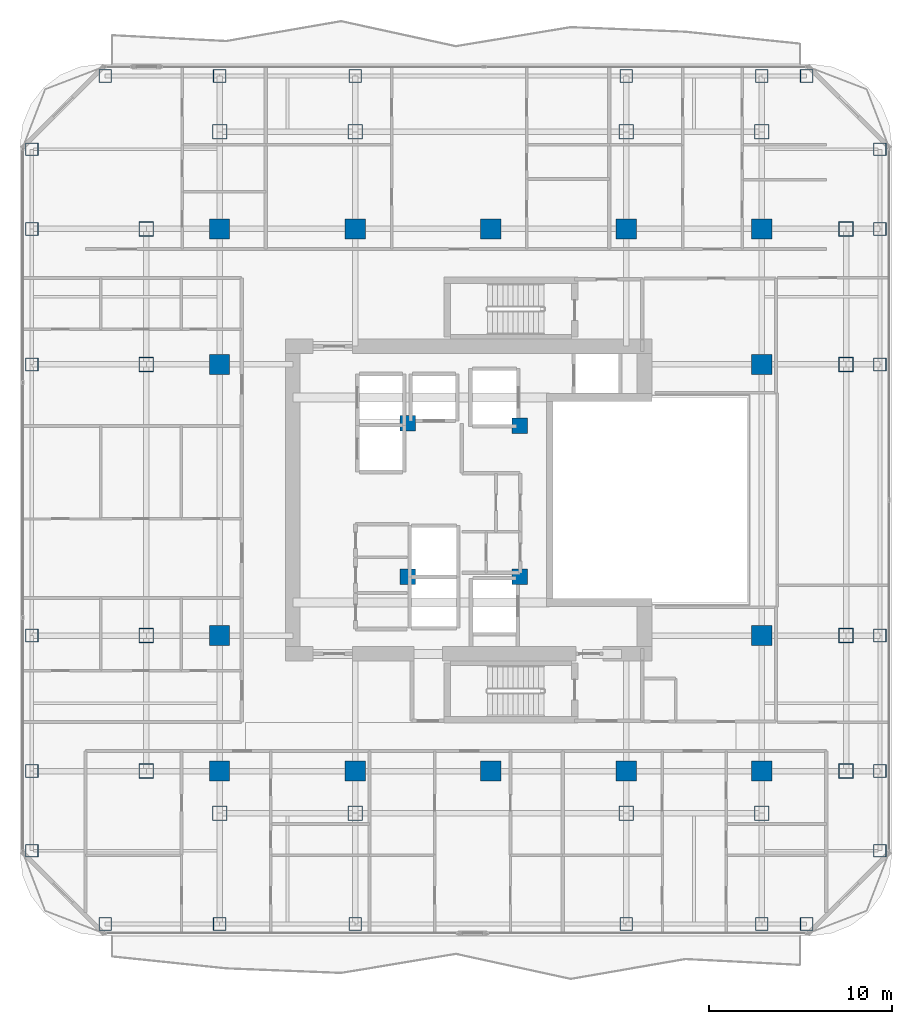
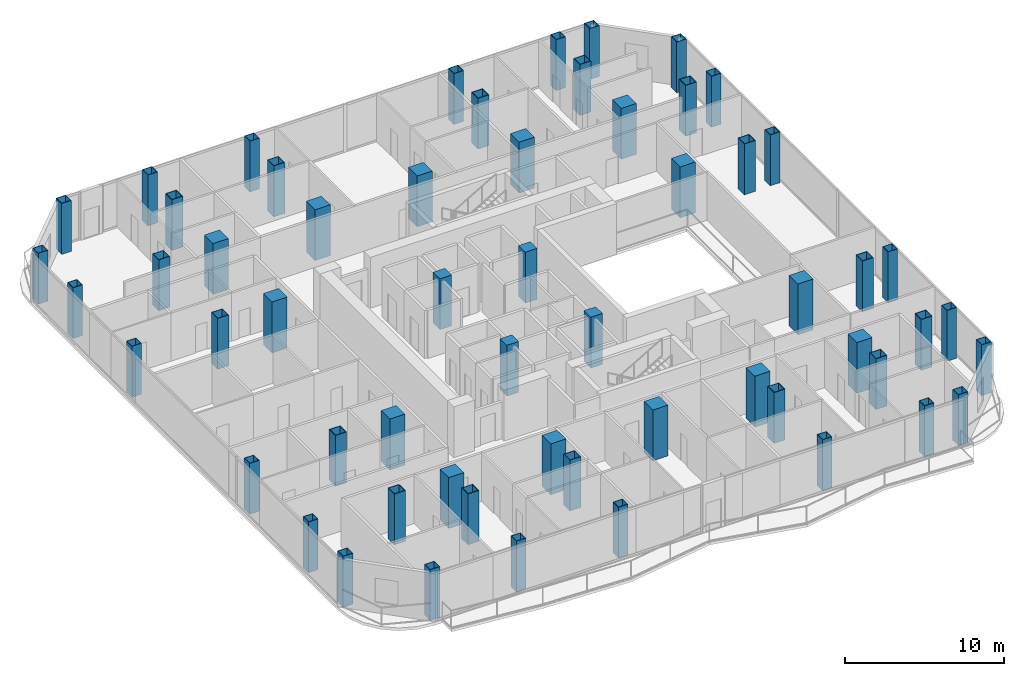
# One storey, part 1 of 27: 58 columns.
"""IFC4 building model written with IfcOpenShell, lengths in metres."""

from ifc_helpers import new_model, si_unit, direction, frame, origin, origin_2d, place, context, subcontext, project, spatial, rectangle, hollow_rectangle, extrude, material, material_profile, profile_set, type_object, element, save


model = new_model("IFC4")

# Units and contexts
model_context = context("Model", 3, precision=1e-05, world=origin(), true_north=direction((0.0, 1.0)))
body_context = subcontext(model_context, "Body", "Model", "MODEL_VIEW")
ifc_project = project(units=[si_unit("LENGTHUNIT", "METRE"), si_unit("AREAUNIT", "SQUARE_METRE"), si_unit("VOLUMEUNIT", "CUBIC_METRE"), si_unit("PLANEANGLEUNIT", "RADIAN"), si_unit("MASSUNIT", "GRAM", prefix="KILO")], contexts=[model_context])

# Site, building, storey
site_placement = place(None, origin())
site = spatial("IfcSite", under=ifc_project, at=site_placement, CompositionType="ELEMENT")
building_placement = place(site_placement, origin())
building = spatial("IfcBuilding", under=site, at=building_placement, Name="Khorvyn Point Tower", CompositionType="ELEMENT")
storey_placement = place(building_placement, frame((0.0, 0.0, 179.699951171875)))
storey = spatial("IfcBuildingStorey", under=building, at=storey_placement, Name="L44", CompositionType="ELEMENT", Elevation=179.699951171875)

# Columns
ifc_material_1 = material(Name="Concrete C40/50", Category="concrete")
ifc_material_profile_1 = material_profile(ifc_material_1, rectangle(XDim=0.85009765625, YDim=0.85009765625, at=origin_2d()))
ifc_profile_set_1 = profile_set([ifc_material_profile_1], Name="Concrete C40/50 RC850x850")
column_type_1 = type_object("IfcColumnType", Name="Concrete C40/50 Column RC850x850", PredefinedType="COLUMN", material=ifc_profile_set_1)
for number, where, z_axis, x_axis, name in (
    (1, (-4.52001953125, -4.199951171875, 0.0), (0.0, 0.0, 1.0), (1.0, 0.0, 0.0), "L44 Crown Core Spine Column 1"),
    (2, (1.580078125, -4.179931640625, 0.0), (0.0, 0.0, 1.0), (1.0, 0.0, 0.0), "L44 Crown Core Spine Column 2"),
    (3, (1.580078125, 4.050048828125, 0.0), (0.0, 0.0, 1.0), (1.0, 0.0, 0.0), "L44 Crown Core Spine Column 3"),
    (4, (-4.52001953125, 4.199951171875, 0.0), (0.0, 0.0, 1.0), (1.0, 0.0, 0.0), "L44 Crown Core Spine Column 4"),
):
    element("IfcColumn", number, at=place(storey_placement, frame(where, z_axis=z_axis, x_axis=x_axis)), inside=storey, type_object=column_type_1, Name=name, PredefinedType="COLUMN", context=body_context, shape_type="SweptSolid", body=[
        extrude(rectangle(XDim=0.85009765625, YDim=0.85009765625, at=origin_2d()), origin(), (0.0, 0.0, 1.0), 3.900146484375),
    ])
ifc_material_2 = material(Name="Concrete C45/55", Category="concrete")
ifc_material_profile_2 = material_profile(ifc_material_2, rectangle(XDim=1.10009765625, YDim=1.10009765625, at=origin_2d()))
ifc_profile_set_2 = profile_set([ifc_material_profile_2], Name="Concrete C45/55 RC1100x1100")
column_type_2 = type_object("IfcColumnType", Name="Concrete C45/55 Column RC1100x1100", PredefinedType="COLUMN", material=ifc_profile_set_2)
for number, where, z_axis, x_axis, name in (
    (5, (-14.800048828125, -14.800048828125, 0.0), (0.0, 0.0, 1.0), (1.0, 0.0, 0.0), "L44 Mega-Column MC-01"),
    (6, (-7.39990234375, -14.800048828125, 0.0), (0.0, 0.0, 1.0), (1.0, 0.0, 0.0), "L44 Mega-Column MC-02"),
    (7, (0.0, -14.800048828125, 0.0), (0.0, 0.0, 1.0), (1.0, 0.0, 0.0), "L44 Mega-Column MC-03"),
    (8, (7.39990234375, -14.800048828125, 0.0), (0.0, 0.0, 1.0), (1.0, 0.0, 0.0), "L44 Mega-Column MC-04"),
    (9, (14.800048828125, -14.800048828125, 0.0), (0.0, 0.0, 1.0), (1.0, 0.0, 0.0), "L44 Mega-Column MC-05"),
    (10, (-14.800048828125, 14.800048828125, 0.0), (0.0, 0.0, 1.0), (1.0, 0.0, 0.0), "L44 Mega-Column MC-06"),
    (11, (-7.39990234375, 14.800048828125, 0.0), (0.0, 0.0, 1.0), (1.0, 0.0, 0.0), "L44 Mega-Column MC-07"),
    (12, (0.0, 14.800048828125, 0.0), (0.0, 0.0, 1.0), (1.0, 0.0, 0.0), "L44 Mega-Column MC-08"),
    (13, (7.39990234375, 14.800048828125, 0.0), (0.0, 0.0, 1.0), (1.0, 0.0, 0.0), "L44 Mega-Column MC-09"),
    (14, (14.800048828125, 14.800048828125, 0.0), (0.0, 0.0, 1.0), (1.0, 0.0, 0.0), "L44 Mega-Column MC-10"),
    (15, (-14.800048828125, -7.39990234375, 0.0), (0.0, 0.0, 1.0), (1.0, 0.0, 0.0), "L44 Mega-Column MC-11"),
    (16, (-14.800048828125, 7.39990234375, 0.0), (0.0, 0.0, 1.0), (1.0, 0.0, 0.0), "L44 Mega-Column MC-12"),
    (17, (14.800048828125, -7.39990234375, 0.0), (0.0, 0.0, 1.0), (1.0, 0.0, 0.0), "L44 Mega-Column MC-13"),
    (18, (14.800048828125, 7.39990234375, 0.0), (0.0, 0.0, 1.0), (1.0, 0.0, 0.0), "L44 Mega-Column MC-14"),
):
    element("IfcColumn", number, at=place(storey_placement, frame(where, z_axis=z_axis, x_axis=x_axis)), inside=storey, type_object=column_type_2, Name=name, PredefinedType="COLUMN", context=body_context, shape_type="SweptSolid", body=[
        extrude(rectangle(XDim=1.10009765625, YDim=1.10009765625, at=origin_2d()), origin(), (0.0, 0.0, 1.0), 3.900146484375),
    ])
ifc_material_3 = material(Name="Steel S450", Category="steel")
ifc_material_profile_3 = material_profile(ifc_material_3, hollow_rectangle(XDim=0.699951171875, YDim=0.699951171875, WallThickness=0.031982421875, at=origin_2d()))
ifc_profile_set_3 = profile_set([ifc_material_profile_3], Name="Steel S450 BOX700x700x32")
column_type_3 = type_object("IfcColumnType", Name="Steel S450 Structural Column BOX700x700x32", PredefinedType="COLUMN", material=ifc_profile_set_3)
for number, where, z_axis, x_axis, name in (
    (19, (-21.050048828125, -23.14990234375, 0.0), (0.0, 0.0, 1.0), (1.0, 0.0, 0.0), "L44 Perimeter Tube Column TC-01"),
    (20, (17.25, -23.14990234375, 0.0), (0.0, 0.0, 1.0), (1.0, 0.0, 0.0), "L44 Perimeter Tube Column TC-02"),
    (21, (-21.050048828125, 23.14990234375, 0.0), (0.0, 0.0, 1.0), (1.0, 0.0, 0.0), "L44 Perimeter Tube Column TC-03"),
    (22, (17.25, 23.14990234375, 0.0), (0.0, 0.0, 1.0), (1.0, 0.0, 0.0), "L44 Perimeter Tube Column TC-04"),
    (23, (-25.050048828125, -19.14990234375, 0.0), (0.0, 0.0, 1.0), (1.0, 0.0, 0.0), "L44 Perimeter Tube Column TC-05"),
    (24, (-25.050048828125, 19.14990234375, 0.0), (0.0, 0.0, 1.0), (1.0, 0.0, 0.0), "L44 Perimeter Tube Column TC-06"),
    (25, (21.25, -19.14990234375, 0.0), (0.0, 0.0, 1.0), (1.0, 0.0, 0.0), "L44 Perimeter Tube Column TC-07"),
    (26, (21.25, 19.14990234375, 0.0), (0.0, 0.0, 1.0), (1.0, 0.0, 0.0), "L44 Perimeter Tube Column TC-08"),
    (27, (-14.800048828125, -23.14990234375, 0.0), (0.0, 0.0, 1.0), (1.0, 0.0, 0.0), "L44 Perimeter Tube Column TC-09"),
    (28, (-14.800048828125, 23.14990234375, 0.0), (0.0, 0.0, 1.0), (1.0, 0.0, 0.0), "L44 Perimeter Tube Column TC-10"),
    (29, (-7.39990234375, -23.14990234375, 0.0), (0.0, 0.0, 1.0), (1.0, 0.0, 0.0), "L44 Perimeter Tube Column TC-11"),
    (30, (-7.39990234375, 23.14990234375, 0.0), (0.0, 0.0, 1.0), (1.0, 0.0, 0.0), "L44 Perimeter Tube Column TC-12"),
    (31, (7.39990234375, -23.14990234375, 0.0), (0.0, 0.0, 1.0), (1.0, 0.0, 0.0), "L44 Perimeter Tube Column TC-13"),
    (32, (7.39990234375, 23.14990234375, 0.0), (0.0, 0.0, 1.0), (1.0, 0.0, 0.0), "L44 Perimeter Tube Column TC-14"),
    (33, (14.800048828125, -23.14990234375, 0.0), (0.0, 0.0, 1.0), (1.0, 0.0, 0.0), "L44 Perimeter Tube Column TC-15"),
    (34, (14.800048828125, 23.14990234375, 0.0), (0.0, 0.0, 1.0), (1.0, 0.0, 0.0), "L44 Perimeter Tube Column TC-16"),
    (35, (-25.050048828125, -14.800048828125, 0.0), (0.0, 0.0, 1.0), (1.0, 0.0, 0.0), "L44 Perimeter Tube Column TC-17"),
    (36, (21.25, -14.800048828125, 0.0), (0.0, 0.0, 1.0), (1.0, 0.0, 0.0), "L44 Perimeter Tube Column TC-18"),
    (37, (-25.050048828125, -7.39990234375, 0.0), (0.0, 0.0, 1.0), (1.0, 0.0, 0.0), "L44 Perimeter Tube Column TC-19"),
    (38, (21.25, -7.39990234375, 0.0), (0.0, 0.0, 1.0), (1.0, 0.0, 0.0), "L44 Perimeter Tube Column TC-20"),
    (39, (-25.050048828125, 7.39990234375, 0.0), (0.0, 0.0, 1.0), (1.0, 0.0, 0.0), "L44 Perimeter Tube Column TC-21"),
    (40, (21.25, 7.39990234375, 0.0), (0.0, 0.0, 1.0), (1.0, 0.0, 0.0), "L44 Perimeter Tube Column TC-22"),
    (41, (-25.050048828125, 14.800048828125, 0.0), (0.0, 0.0, 1.0), (1.0, 0.0, 0.0), "L44 Perimeter Tube Column TC-23"),
    (42, (21.25, 14.800048828125, 0.0), (0.0, 0.0, 1.0), (1.0, 0.0, 0.0), "L44 Perimeter Tube Column TC-24"),
):
    element("IfcColumn", number, at=place(storey_placement, frame(where, z_axis=z_axis, x_axis=x_axis)), inside=storey, type_object=column_type_3, Name=name, PredefinedType="COLUMN", context=body_context, shape_type="SweptSolid", body=[
        extrude(hollow_rectangle(XDim=0.699951171875, YDim=0.699951171875, WallThickness=0.031982421875, at=origin_2d()), origin(), (0.0, 0.0, 1.0), 3.900146484375),
    ])
ifc_material_profile_4 = material_profile(ifc_material_3, hollow_rectangle(XDim=0.800048828125, YDim=0.800048828125, WallThickness=0.035888671875, at=origin_2d()))
ifc_profile_set_4 = profile_set([ifc_material_profile_4], Name="Steel S450 BOX800x800x36")
column_type_4 = type_object("IfcColumnType", Name="Steel S450 Structural Column BOX800x800x36", PredefinedType="COLUMN", material=ifc_profile_set_4)
for number, where, z_axis, x_axis, name in (
    (43, (-18.800048828125, -14.800048828125, 0.0), (0.0, 0.0, 1.0), (1.0, 0.0, 0.0), "L44 Intermediate Column ICW--14"),
    (44, (-18.800048828125, -7.39990234375, 0.0), (0.0, 0.0, 1.0), (1.0, 0.0, 0.0), "L44 Intermediate Column ICW--7"),
    (45, (-18.800048828125, 7.39990234375, 0.0), (0.0, 0.0, 1.0), (1.0, 0.0, 0.0), "L44 Intermediate Column ICW-7"),
    (46, (-18.800048828125, 14.800048828125, 0.0), (0.0, 0.0, 1.0), (1.0, 0.0, 0.0), "L44 Intermediate Column ICW-14"),
    (47, (19.39990234375, -14.800048828125, 0.0), (0.0, 0.0, 1.0), (1.0, 0.0, 0.0), "L44 Intermediate Column ICE--14"),
    (48, (19.39990234375, -7.39990234375, 0.0), (0.0, 0.0, 1.0), (1.0, 0.0, 0.0), "L44 Intermediate Column ICE--7"),
    (49, (19.39990234375, 7.39990234375, 0.0), (0.0, 0.0, 1.0), (1.0, 0.0, 0.0), "L44 Intermediate Column ICE-7"),
    (50, (19.39990234375, 14.800048828125, 0.0), (0.0, 0.0, 1.0), (1.0, 0.0, 0.0), "L44 Intermediate Column ICE-14"),
    (51, (-14.800048828125, -17.10009765625, 0.0), (0.0, 0.0, 1.0), (1.0, 0.0, 0.0), "L44 Intermediate Column ICS--14"),
    (52, (-7.39990234375, -17.10009765625, 0.0), (0.0, 0.0, 1.0), (1.0, 0.0, 0.0), "L44 Intermediate Column ICS--7"),
    (53, (7.39990234375, -17.10009765625, 0.0), (0.0, 0.0, 1.0), (1.0, 0.0, 0.0), "L44 Intermediate Column ICS-7"),
    (54, (14.800048828125, -17.10009765625, 0.0), (0.0, 0.0, 1.0), (1.0, 0.0, 0.0), "L44 Intermediate Column ICS-14"),
    (55, (-14.800048828125, 20.10009765625, 0.0), (0.0, 0.0, 1.0), (1.0, 0.0, 0.0), "L44 Intermediate Column ICN--14"),
    (56, (-7.39990234375, 20.10009765625, 0.0), (0.0, 0.0, 1.0), (1.0, 0.0, 0.0), "L44 Intermediate Column ICN--7"),
    (57, (7.39990234375, 20.10009765625, 0.0), (0.0, 0.0, 1.0), (1.0, 0.0, 0.0), "L44 Intermediate Column ICN-7"),
    (58, (14.800048828125, 20.10009765625, 0.0), (0.0, 0.0, 1.0), (1.0, 0.0, 0.0), "L44 Intermediate Column ICN-14"),
):
    element("IfcColumn", number, at=place(storey_placement, frame(where, z_axis=z_axis, x_axis=x_axis)), inside=storey, type_object=column_type_4, Name=name, PredefinedType="COLUMN", context=body_context, shape_type="SweptSolid", body=[
        extrude(hollow_rectangle(XDim=0.800048828125, YDim=0.800048828125, WallThickness=0.035888671875, at=origin_2d()), origin(), (0.0, 0.0, 1.0), 3.900146484375),
    ])

save(model, "model.ifc")
